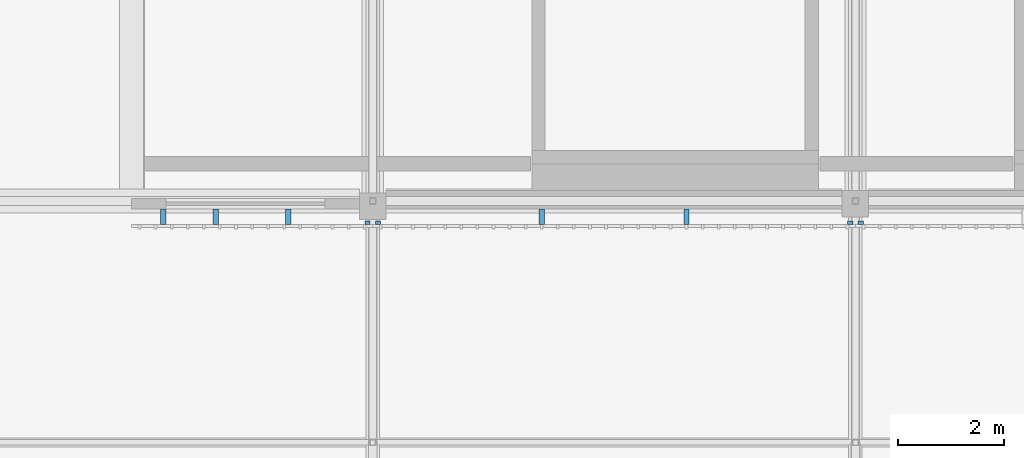
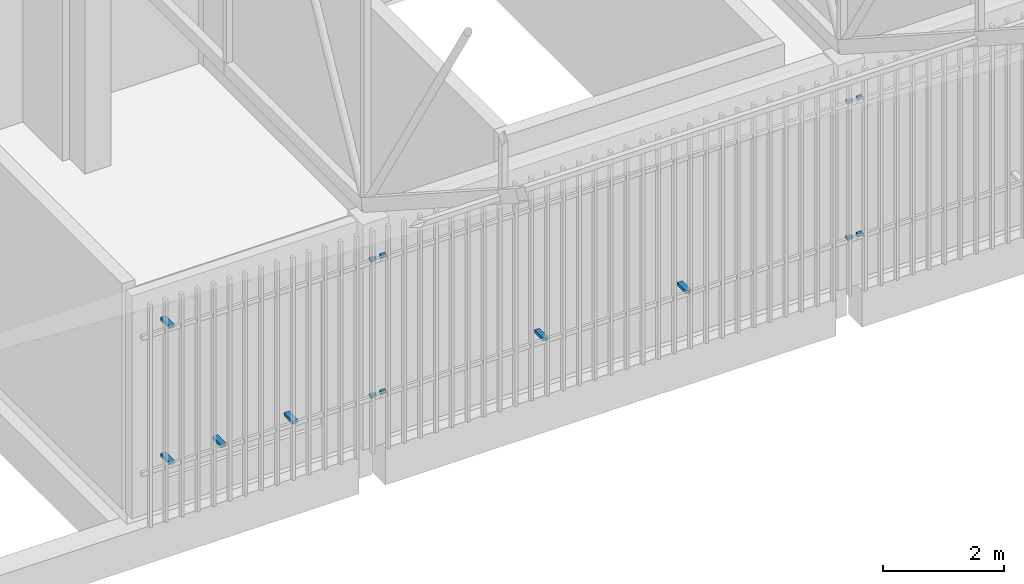
# One storey, part 444 of 500: 14 discrete accessories.
"""IFC4 building model written with IfcOpenShell, lengths in metres."""

from ifc_helpers import new_model, si_unit, direction, frame, origin, origin_2d, place, context, subcontext, project, spatial, rectangle, extrude, material, type_object, element, save


model = new_model("IFC4")

# Units and contexts
model_context = context("Model", 3, precision=1e-05, world=origin(), true_north=direction((0.0, 1.0)))
body_context = subcontext(model_context, "Body", "Model", "MODEL_VIEW")
ifc_project = project(units=[si_unit("LENGTHUNIT", "METRE"), si_unit("AREAUNIT", "SQUARE_METRE"), si_unit("VOLUMEUNIT", "CUBIC_METRE"), si_unit("PLANEANGLEUNIT", "RADIAN"), si_unit("MASSUNIT", "GRAM", prefix="KILO")], contexts=[model_context])

# Site, building, storey
site_placement = place(None, origin())
site = spatial("IfcSite", under=ifc_project, at=site_placement, CompositionType="ELEMENT")
building_placement = place(site_placement, origin())
building = spatial("IfcBuilding", under=site, at=building_placement, Name="Shirokan Park Arena", CompositionType="ELEMENT")
storey_placement = place(building_placement, frame((0.0, 0.0, 29.1201171875)))
storey = spatial("IfcBuildingStorey", under=building, at=storey_placement, Name="L06", CompositionType="ELEMENT", Elevation=29.1201171875)

# Discrete accessories
ifc_material = material(Name="Steel S355", Category="steel")
discrete_accessory_type = type_object("IfcDiscreteAccessoryType", Name="Veil bracket 100x60", PredefinedType="BRACKET", material=ifc_material)
discrete_accessory_1_placement = place(storey_placement, frame((105.25, -0.297607421875, 1.06982421875), z_axis=(0.0, 0.0, 1.0), x_axis=(1.0, 0.0, 0.0)))
element("IfcDiscreteAccessory", 1, at=discrete_accessory_1_placement, inside=storey, type_object=discrete_accessory_type, Name="Veil bracket south bay 12 L06 1", PredefinedType="BRACKET", context=body_context, shape_type="SweptSolid", body=[
    extrude(rectangle(XDim=0.10009765625, YDim=0.294921875, at=origin_2d()), origin(), (0.0, 0.0, 1.0), 0.06005859375),
])
discrete_accessory_2_placement = place(storey_placement, frame((109.10009765625, -0.409912109375, 1.06982421875), z_axis=(0.0, 0.0, 1.0), x_axis=(1.0, 0.0, 0.0)))
element("IfcDiscreteAccessory", 2, at=discrete_accessory_2_placement, inside=storey, type_object=discrete_accessory_type, Name="Veil bracket south bay 12 L06 2", PredefinedType="BRACKET", context=body_context, shape_type="SweptSolid", body=[
    extrude(rectangle(XDim=0.10009765625, YDim=0.070068359375, at=origin_2d()), origin(), (0.0, 0.0, 1.0), 0.06005859375),
])
discrete_accessory_3_placement = place(storey_placement, frame((105.25, -0.297607421875, 3.81982421875), z_axis=(0.0, 0.0, 1.0), x_axis=(1.0, 0.0, 0.0)))
element("IfcDiscreteAccessory", 3, at=discrete_accessory_3_placement, inside=storey, type_object=discrete_accessory_type, Name="Veil bracket south bay 12 L06 3", PredefinedType="BRACKET", context=body_context, shape_type="SweptSolid", body=[
    extrude(rectangle(XDim=0.10009765625, YDim=0.294921875, at=origin_2d()), origin(), (0.0, 0.0, 1.0), 0.06005859375),
])
discrete_accessory_4_placement = place(storey_placement, frame((109.10009765625, -0.409912109375, 3.81982421875), z_axis=(0.0, 0.0, 1.0), x_axis=(1.0, 0.0, 0.0)))
element("IfcDiscreteAccessory", 4, at=discrete_accessory_4_placement, inside=storey, type_object=discrete_accessory_type, Name="Veil bracket south bay 12 L06 4", PredefinedType="BRACKET", context=body_context, shape_type="SweptSolid", body=[
    extrude(rectangle(XDim=0.10009765625, YDim=0.070068359375, at=origin_2d()), origin(), (0.0, 0.0, 1.0), 0.06005859375),
])
for number, where, z_axis, x_axis, name in (
    (5, (106.242431640625, -0.297607421875, 1.06982421875), (0.0, 0.0, 1.0), (1.0, 0.0, 0.0), "Veil bracket south bay 12 L06 wall 1"),
    (6, (107.607421875, -0.297607421875, 1.06982421875), (0.0, 0.0, 1.0), (1.0, 0.0, 0.0), "Veil bracket south bay 12 L06 wall 2"),
):
    element("IfcDiscreteAccessory", number, at=place(storey_placement, frame(where, z_axis=z_axis, x_axis=x_axis)), inside=storey, type_object=discrete_accessory_type, Name=name, PredefinedType="BRACKET", context=body_context, shape_type="SweptSolid", body=[
        extrude(rectangle(XDim=0.10009765625, YDim=0.294921875, at=origin_2d()), origin(), (0.0, 0.0, 1.0), 0.06005859375),
    ])
for number, where, z_axis, x_axis, name in (
    (7, (109.300048828125, -0.409912109375, 1.06982421875), (0.0, 0.0, 1.0), (1.0, 0.0, 0.0), "Veil bracket south bay 13 L06 1"),
    (8, (118.199951171875, -0.409912109375, 1.06982421875), (0.0, 0.0, 1.0), (1.0, 0.0, 0.0), "Veil bracket south bay 13 L06 2"),
    (9, (109.300048828125, -0.409912109375, 3.81982421875), (0.0, 0.0, 1.0), (1.0, 0.0, 0.0), "Veil bracket south bay 13 L06 3"),
    (10, (118.199951171875, -0.409912109375, 3.81982421875), (0.0, 0.0, 1.0), (1.0, 0.0, 0.0), "Veil bracket south bay 13 L06 4"),
):
    element("IfcDiscreteAccessory", number, at=place(storey_placement, frame(where, z_axis=z_axis, x_axis=x_axis)), inside=storey, type_object=discrete_accessory_type, Name=name, PredefinedType="BRACKET", context=body_context, shape_type="SweptSolid", body=[
        extrude(rectangle(XDim=0.10009765625, YDim=0.070068359375, at=origin_2d()), origin(), (0.0, 0.0, 1.0), 0.06005859375),
    ])
for number, where, z_axis, x_axis, name in (
    (11, (112.385009765625, -0.297607421875, 1.06982421875), (0.0, 0.0, 1.0), (1.0, 0.0, 0.0), "Veil bracket south bay 13 L06 wall 1"),
    (12, (115.114990234375, -0.297607421875, 1.06982421875), (0.0, 0.0, 1.0), (1.0, 0.0, 0.0), "Veil bracket south bay 13 L06 wall 2"),
):
    element("IfcDiscreteAccessory", number, at=place(storey_placement, frame(where, z_axis=z_axis, x_axis=x_axis)), inside=storey, type_object=discrete_accessory_type, Name=name, PredefinedType="BRACKET", context=body_context, shape_type="SweptSolid", body=[
        extrude(rectangle(XDim=0.10009765625, YDim=0.294921875, at=origin_2d()), origin(), (0.0, 0.0, 1.0), 0.06005859375),
    ])
for number, where, z_axis, x_axis, name in (
    (13, (118.39990234375, -0.409912109375, 1.06982421875), (0.0, 0.0, 1.0), (1.0, 0.0, 0.0), "Veil bracket south bay 14 L06 1"),
    (14, (118.39990234375, -0.409912109375, 3.81982421875), (0.0, 0.0, 1.0), (1.0, 0.0, 0.0), "Veil bracket south bay 14 L06 3"),
):
    element("IfcDiscreteAccessory", number, at=place(storey_placement, frame(where, z_axis=z_axis, x_axis=x_axis)), inside=storey, type_object=discrete_accessory_type, Name=name, PredefinedType="BRACKET", context=body_context, shape_type="SweptSolid", body=[
        extrude(rectangle(XDim=0.10009765625, YDim=0.070068359375, at=origin_2d()), origin(), (0.0, 0.0, 1.0), 0.06005859375),
    ])

save(model, "model.ifc")
